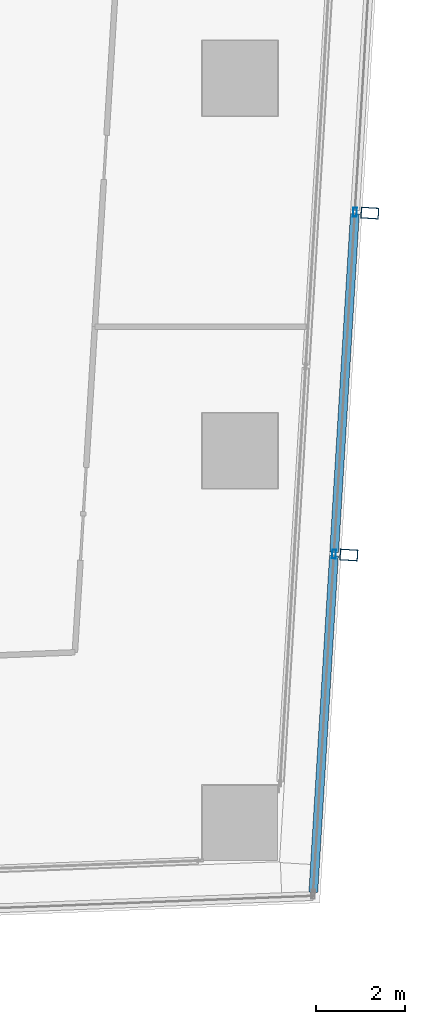
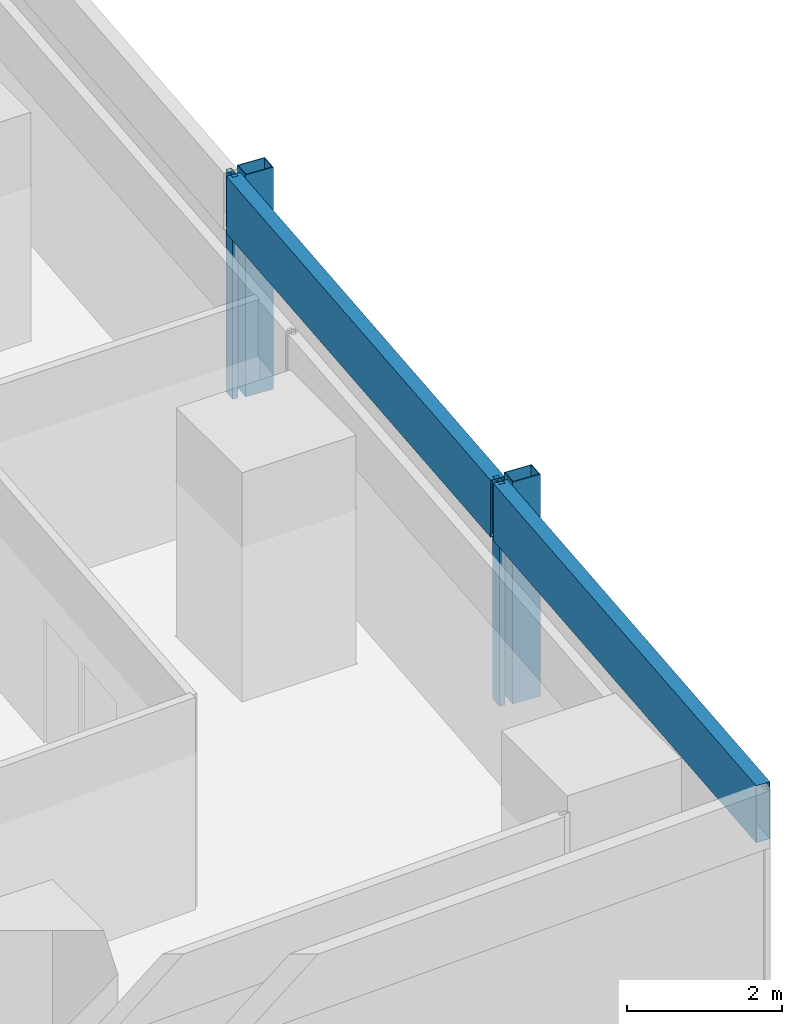
# One storey, part 23 of 40: 6 members, 1 element without a shape of its own.
"""IFC4 building model written with IfcOpenShell, lengths in metres."""

import ifcopenshell
import ifcopenshell.guid

model = None  # the IFC model being written
_history = None  # IfcOwnerHistory: only IFC2X3 demands one
_inside = {}  # id of a spatial element -> (the spatial element, [elements in it])
_under = {}  # id of a project, library or spatial element -> (it, [spatial elements below it])
_declared = {}  # id of a project -> (the project, [libraries it declares])
_typed = {}  # id of a type object -> (the type object, [elements of that type])
_made_of = {}  # id of a material, layer set ... -> (it, [elements and type objects made of it])


def new_model(schema):
    """Start an empty IFC model of exactly this schema.

    Asked for "IFC4X3", IfcOpenShell would pick the latest addendum, in which some entities
    have other attributes; the version numbers below select the first issue.
    IFC2X3 requires an IfcOwnerHistory on every rooted entity: one is made here for all.
    """
    global model, _history
    if schema == "IFC4X3":
        model = ifcopenshell.file(schema_version=(4, 3, 0, 0))
    else:
        model = ifcopenshell.file(schema=schema)
    _inside.clear()
    _under.clear()
    _declared.clear()
    _typed.clear()
    _made_of.clear()
    _history = None
    if model.schema == "IFC2X3":
        org = make("IfcOrganization", Name="unknown")
        user = make(
            "IfcPersonAndOrganization",
            ThePerson=make("IfcPerson", FamilyName="unknown"),
            TheOrganization=org,
        )
        app = make(
            "IfcApplication",
            ApplicationDeveloper=org,
            Version="unknown",
            ApplicationFullName="unknown",
            ApplicationIdentifier="unknown",
        )
        _history = make(
            "IfcOwnerHistory",
            OwningUser=user,
            OwningApplication=app,
            ChangeAction="ADDED",
            CreationDate=0,
        )
    return model


def make(cls, **values):
    """One entity of the class cls with the attributes given. An attribute that is None is left unset."""
    return model.create_entity(
        cls, **{name: value for name, value in values.items() if value is not None}
    )


def rooted(cls, **values):
    """An entity with a GlobalId (a new one), such as an element, a storey or a relation."""
    return make(cls, GlobalId=ifcopenshell.guid.new(), OwnerHistory=_history, **values)


def si_unit(unit_type, name, prefix=None):
    """IfcSIUnit, for example si_unit("LENGTHUNIT", "METRE", prefix="MILLI")."""
    return make("IfcSIUnit", UnitType=unit_type, Prefix=prefix, Name=name)


def assignment(units):
    """IfcUnitAssignment: the units of a project."""
    return None if units is None else make("IfcUnitAssignment", Units=units)


def point(xyz):
    """IfcCartesianPoint."""
    return None if xyz is None else make("IfcCartesianPoint", Coordinates=xyz)


def direction(xyz):
    """IfcDirection."""
    return None if xyz is None else make("IfcDirection", DirectionRatios=xyz)


def frame(location, z_axis=None, x_axis=None):
    """IfcAxis2Placement3D, a coordinate frame: its origin and axes. An axis left out is left unset."""
    return make(
        "IfcAxis2Placement3D",
        Location=point(location),
        Axis=direction(z_axis),
        RefDirection=direction(x_axis),
    )


def frame_2d(location, x_axis=None):
    """IfcAxis2Placement2D, a coordinate frame in the plane: its origin and x axis."""
    return make(
        "IfcAxis2Placement2D", Location=point(location), RefDirection=direction(x_axis)
    )


def origin():
    """The frame at (0, 0, 0) with its axes left unset."""
    return frame((0.0, 0.0, 0.0))


def origin_2d():
    """The frame at (0, 0) in the plane with its x axis left unset."""
    return frame_2d((0.0, 0.0))


def place(relative_to, where):
    """IfcLocalPlacement: puts the frame where relative to a parent placement (None: the world)."""
    return make(
        "IfcLocalPlacement", PlacementRelTo=relative_to, RelativePlacement=where
    )


def context(
    kind, dimensions, precision=None, world=None, true_north=None, identifier=None
):
    """IfcGeometricRepresentationContext, for example the 3D "Model" context."""
    return make(
        "IfcGeometricRepresentationContext",
        ContextIdentifier=identifier,
        ContextType=kind,
        CoordinateSpaceDimension=dimensions,
        Precision=precision,
        WorldCoordinateSystem=world,
        TrueNorth=true_north,
    )


def subcontext(parent, identifier, kind, view, scale=None):
    """IfcGeometricRepresentationSubContext, for example "Body" below "Model"."""
    return make(
        "IfcGeometricRepresentationSubContext",
        ContextIdentifier=identifier,
        ContextType=kind,
        ParentContext=parent,
        TargetScale=scale,
        TargetView=view,
    )


def project(units=None, contexts=None):
    """IfcProject with its units and contexts."""
    return rooted(
        "IfcProject",
        Name="project",
        RepresentationContexts=contexts,
        UnitsInContext=assignment(units),
    )


def spatial(cls, under=None, at=None, **own):
    """A site, building, storey or space (cls), placed at a placement, below another one or the project."""
    s = rooted(cls, ObjectPlacement=at, **own)
    if under is not None:
        _under.setdefault(under.id(), (under, []))[1].append(s)
    return s


def profile(cls, at=None, kind="AREA", **sizes):
    """A parametric profile (cls). Its sizes go by their IFC names, for example OverallWidth=200.0."""
    return make(cls, ProfileType=kind, Position=at, **sizes)


def hollow_rectangle(**sizes):
    """IfcRectangleHollowProfileDef."""
    return profile("IfcRectangleHollowProfileDef", **sizes)


def extrude(swept, where, along, depth):
    """IfcExtrudedAreaSolid: the profile swept, set in the frame where, extruded along a direction by depth."""
    return make(
        "IfcExtrudedAreaSolid",
        SweptArea=swept,
        Position=where,
        ExtrudedDirection=direction(along),
        Depth=depth,
    )


def shape(context_of_items, identifier, shape_type, items):
    """IfcShapeRepresentation: the items that make up one representation, for example the "Body"."""
    return make(
        "IfcShapeRepresentation",
        ContextOfItems=context_of_items,
        RepresentationIdentifier=identifier,
        RepresentationType=shape_type,
        Items=items,
    )


def material(Name=None, Category=None):
    """IfcMaterial."""
    return make("IfcMaterial", Name=Name, Category=Category)


def material_profile(
    of_material, cross_section, Name=None, Category=None, Priority=None
):
    """IfcMaterialProfile: a cross section and its material."""
    return make(
        "IfcMaterialProfile",
        Name=Name,
        Material=of_material,
        Profile=cross_section,
        Priority=Priority,
        Category=Category,
    )


def profile_set(profiles, Name=None, composite=None):
    """IfcMaterialProfileSet."""
    return make(
        "IfcMaterialProfileSet",
        Name=Name,
        MaterialProfiles=profiles,
        CompositeProfile=composite,
    )


def made_of(thing, what):
    """Note that an element or type object is made of a material, layer set ...; save() writes the relation."""
    if what is not None:
        _made_of.setdefault(what.id(), (what, []))[1].append(thing)
    return thing


def type_object(cls, material=None, **own):
    """A type object (cls), such as IfcWallType, which elements share."""
    return made_of(rooted(cls, **own), material)


def element(
    cls,
    number,
    at=None,
    inside=None,
    cuts=None,
    type_object=None,
    material=None,
    context=None,
    identifier="Body",
    shape_type=None,
    held_by="IfcProductDefinitionShape",
    body=None,
    shapes=None,
    **own,
):
    """One element of the class cls, such as IfcWall. Its Tag is "e" and its number.

    at: its placement. inside: the storey or other place that contains it. cuts: it is an
    opening in that element (IfcRelVoidsElement). A single representation is given by context,
    identifier, shape_type and body (its items); several are given by shapes. held_by: the class
    of the entity that holds the representations. save() writes the other relations.
    """
    e = rooted(cls, Tag="e%d" % number, ObjectPlacement=at, **own)
    if body is not None:
        shapes = [shape(context, identifier, shape_type, body)]
    if shapes is not None:
        e.Representation = make(held_by, Representations=shapes)
    if inside is not None:
        _inside.setdefault(inside.id(), (inside, []))[1].append(e)
    if cuts is not None:
        rooted(
            "IfcRelVoidsElement", RelatingBuildingElement=cuts, RelatedOpeningElement=e
        )
    if type_object is not None:
        _typed.setdefault(type_object.id(), (type_object, []))[1].append(e)
    return made_of(e, material)


def aggregate(whole, parts):
    """IfcRelAggregates: a whole, such as a stair, and the parts it consists of."""
    return rooted("IfcRelAggregates", RelatingObject=whole, RelatedObjects=parts)


def save(model, path):
    """Write the relations noted so far, then the file.

    IfcRelAggregates (storeys below a building ...), IfcRelContainedInSpatialStructure (elements
    in a storey), IfcRelDefinesByType, IfcRelAssociatesMaterial and IfcRelDeclares: one each for
    every whole, place, type object, material and project.
    """
    for whole, parts in _under.values():
        aggregate(whole, parts)
    for where, things in _inside.values():
        rooted(
            "IfcRelContainedInSpatialStructure",
            RelatedElements=things,
            RelatingStructure=where,
        )
    for kind, things in _typed.values():
        rooted("IfcRelDefinesByType", RelatedObjects=things, RelatingType=kind)
    for what, things in _made_of.values():
        rooted("IfcRelAssociatesMaterial", RelatedObjects=things, RelatingMaterial=what)
    for by, libraries in _declared.values():
        rooted("IfcRelDeclares", RelatingContext=by, RelatedDefinitions=libraries)
    model.write(path)


model = new_model("IFC4")

# Units and contexts
model_context = context("Model", 3, precision=1e-05, world=origin(), true_north=direction((0.0, 1.0)))
body_context = subcontext(model_context, "Body", "Model", "MODEL_VIEW")
ifc_project = project(units=[si_unit("LENGTHUNIT", "METRE"), si_unit("AREAUNIT", "SQUARE_METRE"), si_unit("VOLUMEUNIT", "CUBIC_METRE"), si_unit("PLANEANGLEUNIT", "RADIAN"), si_unit("MASSUNIT", "GRAM", prefix="KILO")], contexts=[model_context])

# Site, building, storey
site_placement = place(None, origin())
site = spatial("IfcSite", under=ifc_project, at=site_placement, CompositionType="ELEMENT")
building_placement = place(site_placement, origin())
building = spatial("IfcBuilding", under=site, at=building_placement, Name="Rekha Terrace Tower", CompositionType="ELEMENT")
storey_placement = place(building_placement, frame((0.0, 0.0, 117.800048828125)))
storey = spatial("IfcBuildingStorey", under=building, at=storey_placement, Name="L29", CompositionType="ELEMENT", Elevation=117.800048828125)

# Curtain wall, members
ifc_material_1 = material(Name="Aluminium framing", Category="aluminium")
curtain_wall_type = type_object("IfcCurtainWallType", Name="CW2 double skin outer glazing", PredefinedType="USERDEFINED", material=ifc_material_1)
curtain_wall_placement = place(storey_placement, origin())
curtain_wall = element("IfcCurtainWall", 1, at=curtain_wall_placement, inside=storey, type_object=curtain_wall_type, Name="CW2 double skin outer glazing", ObjectType="DOUBLE SKIN OUTER GLAZING", PredefinedType="USERDEFINED")
ifc_material_2 = material(Name="Steel S355 with fluorocarbon finish", Category="steel")
ifc_material_profile_1 = material_profile(ifc_material_2, hollow_rectangle(XDim=0.25, YDim=0.39990234375, WallThickness=0.012451171875, at=origin_2d()), Name="RHS400x250x12.5")
ifc_profile_set_1 = profile_set([ifc_material_profile_1], Name="Steel S355 with fluorocarbon finish")
member_type_1 = type_object("IfcMemberType", Name="BL1 facade blade RHS 400 x 250", PredefinedType="USERDEFINED", material=ifc_profile_set_1)
member_1_placement = place(storey_placement, frame((69.656005859375, 22.845703125, 0.0), z_axis=(0.0, 0.0, 1.0), x_axis=(0.061160031881, 0.998127973008, 0.0)))
member_1 = element("IfcMember", 2, at=member_1_placement, type_object=member_type_1, Name="Facade blade", ObjectType="FACADE BLADE", PredefinedType="USERDEFINED", context=body_context, shape_type="SweptSolid", body=[
    extrude(hollow_rectangle(XDim=0.25, YDim=0.39990234375, WallThickness=0.012451171875, at=origin_2d()), origin(), (0.0, 0.0, 1.0), 3.5),
])
member_2_placement = place(storey_placement, frame((70.128662109375, 30.557861328125, 0.0), z_axis=(0.0, 0.0, 1.0), x_axis=(0.061160031881, 0.998127973008, 0.0)))
member_2 = element("IfcMember", 3, at=member_2_placement, type_object=member_type_1, Name="Facade blade", ObjectType="FACADE BLADE", PredefinedType="USERDEFINED", context=body_context, shape_type="SweptSolid", body=[
    extrude(hollow_rectangle(XDim=0.25, YDim=0.39990234375, WallThickness=0.012451171875, at=origin_2d()), origin(), (0.0, 0.0, 1.0), 3.5),
])
ifc_material_3 = material(Name="Aluminium mullion section", Category="aluminium")
ifc_material_profile_2 = material_profile(ifc_material_3, hollow_rectangle(XDim=0.080078125, YDim=0.199951171875, WallThickness=0.00390625, at=origin_2d()), Name="AL RHS 80x200")
ifc_profile_set_2 = profile_set([ifc_material_profile_2], Name="Aluminium mullion section")
member_type_2 = type_object("IfcMemberType", Name="CW2 mullion RHS 80 x 200", PredefinedType="MULLION", material=ifc_profile_set_2)
member_3_placement = place(storey_placement, frame((69.32177734375, 22.8662109375, 0.0), z_axis=(0.0, 0.0, 1.0), x_axis=(-0.998127987024, 0.061159803131, 0.0)))
member_3 = element("IfcMember", 4, at=member_3_placement, type_object=member_type_2, Name="CW2 mullion 2", PredefinedType="MULLION", context=body_context, shape_type="SweptSolid", body=[
    extrude(hollow_rectangle(XDim=0.080078125, YDim=0.199951171875, WallThickness=0.00390625, at=origin_2d()), origin(), (0.0, 0.0, 1.0), 3.5),
])
member_4_placement = place(storey_placement, frame((69.794189453125, 30.578369140625, 0.0), z_axis=(0.0, 0.0, 1.0), x_axis=(-0.998127987024, 0.061159803131, 0.0)))
member_4 = element("IfcMember", 5, at=member_4_placement, type_object=member_type_2, Name="CW2 mullion 3", PredefinedType="MULLION", context=body_context, shape_type="SweptSolid", body=[
    extrude(hollow_rectangle(XDim=0.080078125, YDim=0.199951171875, WallThickness=0.00390625, at=origin_2d()), origin(), (0.0, 0.0, 1.0), 3.5),
])
ifc_material_4 = material(Name="Insulated aluminium spandrel box", Category="aluminium")
ifc_material_profile_3 = material_profile(ifc_material_4, hollow_rectangle(XDim=0.199951171875, YDim=0.89990234375, WallThickness=0.0029296875, at=origin_2d()), Name="AL SPANDREL BOX 200x900")
ifc_profile_set_3 = profile_set([ifc_material_profile_3], Name="Insulated aluminium spandrel box")
member_type_3 = type_object("IfcMemberType", Name="CW2 spandrel transom 200 x 900", PredefinedType="USERDEFINED", material=ifc_profile_set_3)
member_5_placement = place(storey_placement, frame((68.85400390625, 15.234130859375, 3.050048828125), z_axis=(0.061175320944, 0.998127036057, 0.0), x_axis=(-0.998127036057, 0.061175320944, 0.0)))
member_5 = element("IfcMember", 6, at=member_5_placement, type_object=member_type_3, Name="CW2 spandrel transom 1", ObjectType="TRANSOM", PredefinedType="USERDEFINED", context=body_context, shape_type="SweptSolid", body=[
    extrude(hollow_rectangle(XDim=0.199951171875, YDim=0.89990234375, WallThickness=0.0029296875, at=origin_2d()), origin(), (0.0, 0.0, 1.0), 7.6064453125),
])
member_6_placement = place(storey_placement, frame((69.32421875, 22.90625, 3.050048828125), z_axis=(0.061141871886, 0.998129085591, 0.0), x_axis=(-0.998129085591, 0.061141871886, 0.0)))
member_6 = element("IfcMember", 7, at=member_6_placement, type_object=member_type_3, Name="CW2 spandrel transom 2", ObjectType="TRANSOM", PredefinedType="USERDEFINED", context=body_context, shape_type="SweptSolid", body=[
    extrude(hollow_rectangle(XDim=0.199951171875, YDim=0.89990234375, WallThickness=0.0029296875, at=origin_2d()), origin(), (0.0, 0.0, 1.0), 7.646728515625),
])
aggregate(curtain_wall, [member_3, member_4, member_5, member_6, member_1, member_2])

save(model, "model.ifc")
